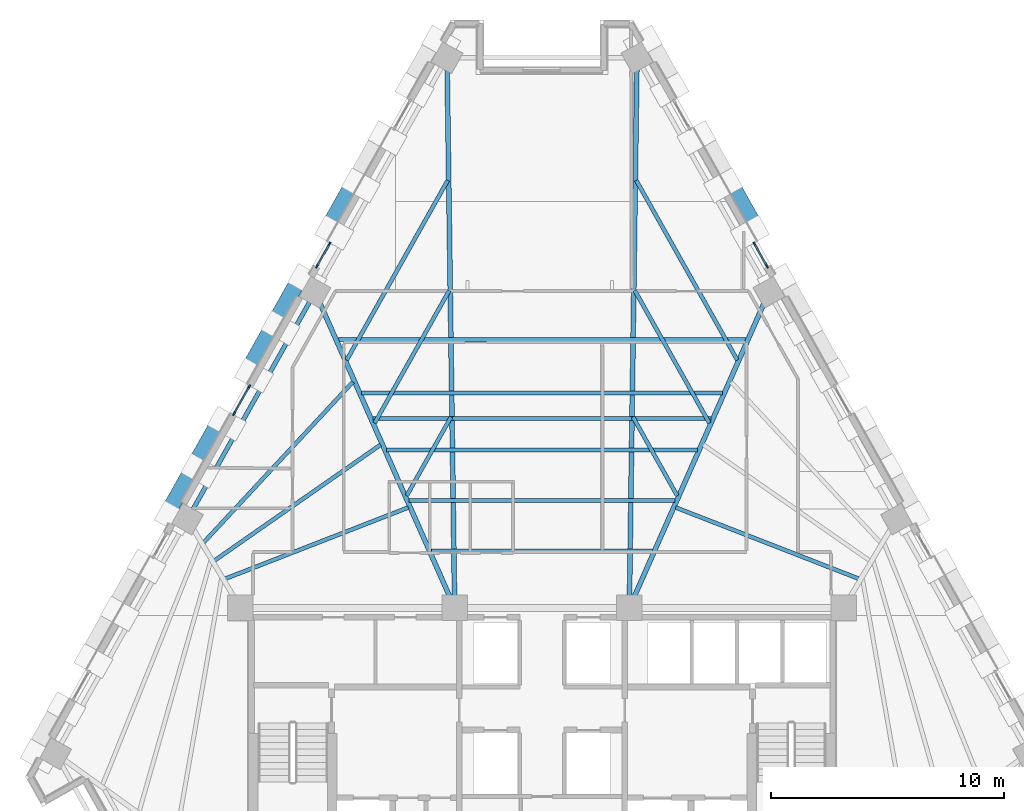
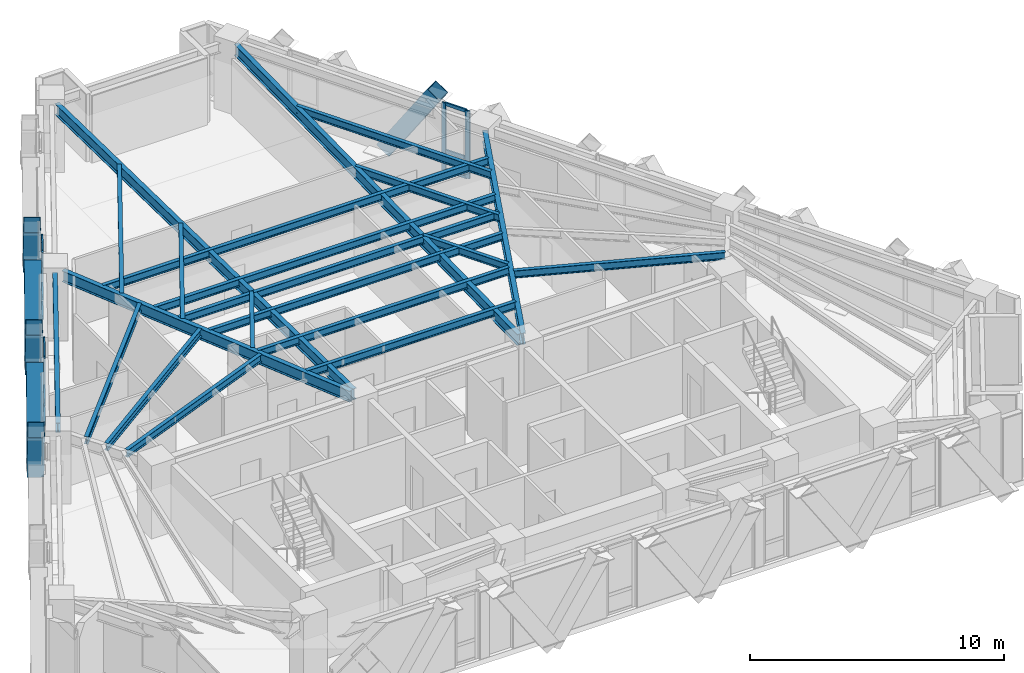
# One storey, part 3 of 13: 21 beams, 21 members, 3 elements without a shape of their own.
"""IFC4 building model written with IfcOpenShell, lengths in metres."""

import ifcopenshell
import ifcopenshell.guid

model = None  # the IFC model being written
_history = None  # IfcOwnerHistory: only IFC2X3 demands one
_inside = {}  # id of a spatial element -> (the spatial element, [elements in it])
_under = {}  # id of a project, library or spatial element -> (it, [spatial elements below it])
_declared = {}  # id of a project -> (the project, [libraries it declares])
_typed = {}  # id of a type object -> (the type object, [elements of that type])
_made_of = {}  # id of a material, layer set ... -> (it, [elements and type objects made of it])


def new_model(schema):
    """Start an empty IFC model of exactly this schema.

    Asked for "IFC4X3", IfcOpenShell would pick the latest addendum, in which some entities
    have other attributes; the version numbers below select the first issue.
    IFC2X3 requires an IfcOwnerHistory on every rooted entity: one is made here for all.
    """
    global model, _history
    if schema == "IFC4X3":
        model = ifcopenshell.file(schema_version=(4, 3, 0, 0))
    else:
        model = ifcopenshell.file(schema=schema)
    _inside.clear()
    _under.clear()
    _declared.clear()
    _typed.clear()
    _made_of.clear()
    _history = None
    if model.schema == "IFC2X3":
        org = make("IfcOrganization", Name="unknown")
        user = make(
            "IfcPersonAndOrganization",
            ThePerson=make("IfcPerson", FamilyName="unknown"),
            TheOrganization=org,
        )
        app = make(
            "IfcApplication",
            ApplicationDeveloper=org,
            Version="unknown",
            ApplicationFullName="unknown",
            ApplicationIdentifier="unknown",
        )
        _history = make(
            "IfcOwnerHistory",
            OwningUser=user,
            OwningApplication=app,
            ChangeAction="ADDED",
            CreationDate=0,
        )
    return model


def make(cls, **values):
    """One entity of the class cls with the attributes given. An attribute that is None is left unset."""
    return model.create_entity(
        cls, **{name: value for name, value in values.items() if value is not None}
    )


def rooted(cls, **values):
    """An entity with a GlobalId (a new one), such as an element, a storey or a relation."""
    return make(cls, GlobalId=ifcopenshell.guid.new(), OwnerHistory=_history, **values)


def si_unit(unit_type, name, prefix=None):
    """IfcSIUnit, for example si_unit("LENGTHUNIT", "METRE", prefix="MILLI")."""
    return make("IfcSIUnit", UnitType=unit_type, Prefix=prefix, Name=name)


def assignment(units):
    """IfcUnitAssignment: the units of a project."""
    return None if units is None else make("IfcUnitAssignment", Units=units)


def point(xyz):
    """IfcCartesianPoint."""
    return None if xyz is None else make("IfcCartesianPoint", Coordinates=xyz)


def direction(xyz):
    """IfcDirection."""
    return None if xyz is None else make("IfcDirection", DirectionRatios=xyz)


def frame(location, z_axis=None, x_axis=None):
    """IfcAxis2Placement3D, a coordinate frame: its origin and axes. An axis left out is left unset."""
    return make(
        "IfcAxis2Placement3D",
        Location=point(location),
        Axis=direction(z_axis),
        RefDirection=direction(x_axis),
    )


def frame_2d(location, x_axis=None):
    """IfcAxis2Placement2D, a coordinate frame in the plane: its origin and x axis."""
    return make(
        "IfcAxis2Placement2D", Location=point(location), RefDirection=direction(x_axis)
    )


def origin():
    """The frame at (0, 0, 0) with its axes left unset."""
    return frame((0.0, 0.0, 0.0))


def origin_2d():
    """The frame at (0, 0) in the plane with its x axis left unset."""
    return frame_2d((0.0, 0.0))


def place(relative_to, where):
    """IfcLocalPlacement: puts the frame where relative to a parent placement (None: the world)."""
    return make(
        "IfcLocalPlacement", PlacementRelTo=relative_to, RelativePlacement=where
    )


def context(
    kind, dimensions, precision=None, world=None, true_north=None, identifier=None
):
    """IfcGeometricRepresentationContext, for example the 3D "Model" context."""
    return make(
        "IfcGeometricRepresentationContext",
        ContextIdentifier=identifier,
        ContextType=kind,
        CoordinateSpaceDimension=dimensions,
        Precision=precision,
        WorldCoordinateSystem=world,
        TrueNorth=true_north,
    )


def subcontext(parent, identifier, kind, view, scale=None):
    """IfcGeometricRepresentationSubContext, for example "Body" below "Model"."""
    return make(
        "IfcGeometricRepresentationSubContext",
        ContextIdentifier=identifier,
        ContextType=kind,
        ParentContext=parent,
        TargetScale=scale,
        TargetView=view,
    )


def project(units=None, contexts=None):
    """IfcProject with its units and contexts."""
    return rooted(
        "IfcProject",
        Name="project",
        RepresentationContexts=contexts,
        UnitsInContext=assignment(units),
    )


def spatial(cls, under=None, at=None, **own):
    """A site, building, storey or space (cls), placed at a placement, below another one or the project."""
    s = rooted(cls, ObjectPlacement=at, **own)
    if under is not None:
        _under.setdefault(under.id(), (under, []))[1].append(s)
    return s


def profile(cls, at=None, kind="AREA", **sizes):
    """A parametric profile (cls). Its sizes go by their IFC names, for example OverallWidth=200.0."""
    return make(cls, ProfileType=kind, Position=at, **sizes)


def rectangle(**sizes):
    """IfcRectangleProfileDef."""
    return profile("IfcRectangleProfileDef", **sizes)


def hollow_rectangle(**sizes):
    """IfcRectangleHollowProfileDef."""
    return profile("IfcRectangleHollowProfileDef", **sizes)


def i_section(**sizes):
    """IfcIShapeProfileDef."""
    return profile("IfcIShapeProfileDef", **sizes)


def extrude(swept, where, along, depth):
    """IfcExtrudedAreaSolid: the profile swept, set in the frame where, extruded along a direction by depth."""
    return make(
        "IfcExtrudedAreaSolid",
        SweptArea=swept,
        Position=where,
        ExtrudedDirection=direction(along),
        Depth=depth,
    )


def shape(context_of_items, identifier, shape_type, items):
    """IfcShapeRepresentation: the items that make up one representation, for example the "Body"."""
    return make(
        "IfcShapeRepresentation",
        ContextOfItems=context_of_items,
        RepresentationIdentifier=identifier,
        RepresentationType=shape_type,
        Items=items,
    )


def material(Name=None, Category=None):
    """IfcMaterial."""
    return make("IfcMaterial", Name=Name, Category=Category)


def material_profile(
    of_material, cross_section, Name=None, Category=None, Priority=None
):
    """IfcMaterialProfile: a cross section and its material."""
    return make(
        "IfcMaterialProfile",
        Name=Name,
        Material=of_material,
        Profile=cross_section,
        Priority=Priority,
        Category=Category,
    )


def profile_set(profiles, Name=None, composite=None):
    """IfcMaterialProfileSet."""
    return make(
        "IfcMaterialProfileSet",
        Name=Name,
        MaterialProfiles=profiles,
        CompositeProfile=composite,
    )


def made_of(thing, what):
    """Note that an element or type object is made of a material, layer set ...; save() writes the relation."""
    if what is not None:
        _made_of.setdefault(what.id(), (what, []))[1].append(thing)
    return thing


def type_object(cls, material=None, **own):
    """A type object (cls), such as IfcWallType, which elements share."""
    return made_of(rooted(cls, **own), material)


def element(
    cls,
    number,
    at=None,
    inside=None,
    cuts=None,
    type_object=None,
    material=None,
    context=None,
    identifier="Body",
    shape_type=None,
    held_by="IfcProductDefinitionShape",
    body=None,
    shapes=None,
    **own,
):
    """One element of the class cls, such as IfcWall. Its Tag is "e" and its number.

    at: its placement. inside: the storey or other place that contains it. cuts: it is an
    opening in that element (IfcRelVoidsElement). A single representation is given by context,
    identifier, shape_type and body (its items); several are given by shapes. held_by: the class
    of the entity that holds the representations. save() writes the other relations.
    """
    e = rooted(cls, Tag="e%d" % number, ObjectPlacement=at, **own)
    if body is not None:
        shapes = [shape(context, identifier, shape_type, body)]
    if shapes is not None:
        e.Representation = make(held_by, Representations=shapes)
    if inside is not None:
        _inside.setdefault(inside.id(), (inside, []))[1].append(e)
    if cuts is not None:
        rooted(
            "IfcRelVoidsElement", RelatingBuildingElement=cuts, RelatedOpeningElement=e
        )
    if type_object is not None:
        _typed.setdefault(type_object.id(), (type_object, []))[1].append(e)
    return made_of(e, material)


def aggregate(whole, parts):
    """IfcRelAggregates: a whole, such as a stair, and the parts it consists of."""
    return rooted("IfcRelAggregates", RelatingObject=whole, RelatedObjects=parts)


def save(model, path):
    """Write the relations noted so far, then the file.

    IfcRelAggregates (storeys below a building ...), IfcRelContainedInSpatialStructure (elements
    in a storey), IfcRelDefinesByType, IfcRelAssociatesMaterial and IfcRelDeclares: one each for
    every whole, place, type object, material and project.
    """
    for whole, parts in _under.values():
        aggregate(whole, parts)
    for where, things in _inside.values():
        rooted(
            "IfcRelContainedInSpatialStructure",
            RelatedElements=things,
            RelatingStructure=where,
        )
    for kind, things in _typed.values():
        rooted("IfcRelDefinesByType", RelatedObjects=things, RelatingType=kind)
    for what, things in _made_of.values():
        rooted("IfcRelAssociatesMaterial", RelatedObjects=things, RelatingMaterial=what)
    for by, libraries in _declared.values():
        rooted("IfcRelDeclares", RelatingContext=by, RelatedDefinitions=libraries)
    model.write(path)


model = new_model("IFC4")

# Units and contexts
model_context = context("Model", 3, precision=1e-05, world=origin(), true_north=direction((0.0, 1.0)))
body_context = subcontext(model_context, "Body", "Model", "MODEL_VIEW")
ifc_project = project(units=[si_unit("LENGTHUNIT", "METRE"), si_unit("AREAUNIT", "SQUARE_METRE"), si_unit("VOLUMEUNIT", "CUBIC_METRE"), si_unit("PLANEANGLEUNIT", "RADIAN"), si_unit("MASSUNIT", "GRAM", prefix="KILO")], contexts=[model_context])

# Site, building, storey
site_placement = place(None, origin())
site = spatial("IfcSite", under=ifc_project, at=site_placement, CompositionType="ELEMENT")
building_placement = place(site_placement, origin())
building = spatial("IfcBuilding", under=site, at=building_placement, Name="Quenlor Broadcast Tower", CompositionType="ELEMENT")
storey_placement = place(building_placement, frame((0.0, 0.0, 161.5)))
storey = spatial("IfcBuildingStorey", under=building, at=storey_placement, Name="L44", CompositionType="ELEMENT", Elevation=161.5)

# Curtain wall, members
ifc_material_1 = material(Name="Architectural Terracotta and Low-E Glazing", Category="masonry")
curtain_wall_type = type_object("IfcCurtainWallType", Name="Unitised Terracotta Curtain Wall System Z3", PredefinedType="NOTDEFINED", material=ifc_material_1)
curtain_wall_1_placement = place(storey_placement, origin())
curtain_wall_1 = element("IfcCurtainWall", 1, at=curtain_wall_1_placement, inside=storey, type_object=curtain_wall_type, Name="L44 Curtain Wall CW3 (L44-NEA-G2)", PredefinedType="NOTDEFINED")
ifc_material_2 = material(Name="Aluminium 6063-T6", Category="aluminium")
ifc_material_profile_1 = material_profile(ifc_material_2, rectangle(XDim=0.070068359375, YDim=0.18994140625, at=origin_2d()))
ifc_profile_set_1 = profile_set([ifc_material_profile_1], Name="Aluminium 6063-T6 MULL70x190")
member_type_1 = type_object("IfcMemberType", Name="CW3 Aluminium Mullion MULL_CW3", PredefinedType="MULLION", material=ifc_profile_set_1)
member_1_placement = place(storey_placement, frame((9.1259765625, 10.8193359375, 0.0), z_axis=(0.0, 0.0, 1.0), x_axis=(0.871601010924, 0.490215950125, 0.0)))
member_1 = element("IfcMember", 2, at=member_1_placement, type_object=member_type_1, Name="CW3 mullion 1", PredefinedType="MULLION", context=body_context, shape_type="SweptSolid", body=[
    extrude(rectangle(XDim=0.070068359375, YDim=0.18994140625, at=origin_2d()), origin(), (0.0, 0.0, 1.0), 3.25),
])
member_2_placement = place(storey_placement, frame((9.656982421875, 9.875244140625, 0.0), z_axis=(0.0, 0.0, 1.0), x_axis=(0.871601010924, 0.490215950125, 0.0)))
member_2 = element("IfcMember", 3, at=member_2_placement, type_object=member_type_1, Name="CW3 mullion 2", PredefinedType="MULLION", context=body_context, shape_type="SweptSolid", body=[
    extrude(rectangle(XDim=0.070068359375, YDim=0.18994140625, at=origin_2d()), origin(), (0.0, 0.0, 1.0), 3.25),
])

curtain_wall_2_placement = place(storey_placement, origin())
curtain_wall_2 = element("IfcCurtainWall", 4, at=curtain_wall_2_placement, inside=storey, type_object=curtain_wall_type, Name="L44 Curtain Wall CW3 (L44-NWC-G1)", PredefinedType="NOTDEFINED")
member_3_placement = place(storey_placement, frame((-9.656982421875, 9.875244140625, 0.0), z_axis=(0.0, 0.0, 1.0), x_axis=(-0.871601010924, 0.490215950125, 0.0)))
member_3 = element("IfcMember", 5, at=member_3_placement, type_object=member_type_1, Name="CW3 mullion 1", PredefinedType="MULLION", context=body_context, shape_type="SweptSolid", body=[
    extrude(rectangle(XDim=0.070068359375, YDim=0.18994140625, at=origin_2d()), origin(), (0.0, 0.0, 1.0), 3.25),
])
member_4_placement = place(storey_placement, frame((-9.1259765625, 10.8193359375, 0.0), z_axis=(0.0, 0.0, 1.0), x_axis=(-0.871601010924, 0.490215950125, 0.0)))
member_4 = element("IfcMember", 6, at=member_4_placement, type_object=member_type_1, Name="CW3 mullion 2", PredefinedType="MULLION", context=body_context, shape_type="SweptSolid", body=[
    extrude(rectangle(XDim=0.070068359375, YDim=0.18994140625, at=origin_2d()), origin(), (0.0, 0.0, 1.0), 3.25),
])

curtain_wall_3_placement = place(storey_placement, origin())
curtain_wall_3 = element("IfcCurtainWall", 7, at=curtain_wall_3_placement, inside=storey, type_object=curtain_wall_type, Name="L44 Curtain Wall CW3 (L44-NW-G1)", PredefinedType="NOTDEFINED")
member_5_placement = place(storey_placement, frame((-13.220947265625, 3.5390625, 0.0), z_axis=(0.0, 0.0, 1.0), x_axis=(-0.871562085714, 0.490285152484, 0.0)))
member_5 = element("IfcMember", 8, at=member_5_placement, type_object=member_type_1, Name="CW3 mullion 1", PredefinedType="MULLION", context=body_context, shape_type="SweptSolid", body=[
    extrude(rectangle(XDim=0.070068359375, YDim=0.18994140625, at=origin_2d()), origin(), (0.0, 0.0, 1.0), 3.25),
])
member_6_placement = place(storey_placement, frame((-12.573974609375, 4.689208984375, 0.0), z_axis=(0.0, 0.0, 1.0), x_axis=(-0.871562085714, 0.490285152484, 0.0)))
member_6 = element("IfcMember", 9, at=member_6_placement, type_object=member_type_1, Name="CW3 mullion 2", PredefinedType="MULLION", context=body_context, shape_type="SweptSolid", body=[
    extrude(rectangle(XDim=0.070068359375, YDim=0.18994140625, at=origin_2d()), origin(), (0.0, 0.0, 1.0), 3.25),
])

# Member
ifc_material_3 = material(Name="Aluminium 6063-T6", Category="aluminium")
ifc_material_profile_2 = material_profile(ifc_material_3, rectangle(XDim=0.070068359375, YDim=0.155029296875, at=origin_2d()))
ifc_profile_set_2 = profile_set([ifc_material_profile_2], Name="Aluminium 6063-T6 TRAN70x155")
member_type_2 = type_object("IfcMemberType", Name="CW3 Aluminium Transom TRAN_CW3", PredefinedType="USERDEFINED", material=ifc_profile_set_2)
member_7_placement = place(storey_placement, frame((9.14306640625, 10.788818359375, 0.034912109375), z_axis=(0.490341317219, -0.871530488639, 0.0), x_axis=(0.871530488639, 0.490341317219, 0.0)))
member_7 = element("IfcMember", 10, at=member_7_placement, type_object=member_type_2, Name="CW3 transom 1.1", ObjectType="TRANSOM", PredefinedType="USERDEFINED", context=body_context, shape_type="SweptSolid", body=[
    extrude(rectangle(XDim=0.070068359375, YDim=0.155029296875, at=origin_2d()), origin(), (0.0, 0.0, 1.0), 1.01318359375),
])

member_8_placement = place(storey_placement, frame((9.14306640625, 10.788818359375, 0.949951171875), z_axis=(0.490341317219, -0.871530488639, 0.0), x_axis=(0.871530488639, 0.490341317219, 0.0)))
member_8 = element("IfcMember", 11, at=member_8_placement, type_object=member_type_2, Name="CW3 transom 1.2", ObjectType="TRANSOM", PredefinedType="USERDEFINED", context=body_context, shape_type="SweptSolid", body=[
    extrude(rectangle(XDim=0.070068359375, YDim=0.155029296875, at=origin_2d()), origin(), (0.0, 0.0, 1.0), 1.01318359375),
])

member_9_placement = place(storey_placement, frame((9.14306640625, 10.788818359375, 3.215087890625), z_axis=(0.490341317219, -0.871530488639, 0.0), x_axis=(0.871530488639, 0.490341317219, 0.0)))
member_9 = element("IfcMember", 12, at=member_9_placement, type_object=member_type_2, Name="CW3 transom 1.3", ObjectType="TRANSOM", PredefinedType="USERDEFINED", context=body_context, shape_type="SweptSolid", body=[
    extrude(rectangle(XDim=0.070068359375, YDim=0.155029296875, at=origin_2d()), origin(), (0.0, 0.0, 1.0), 1.01318359375),
])

aggregate(curtain_wall_1, [member_1, member_2, member_7, member_8, member_9])

member_10_placement = place(storey_placement, frame((-9.639892578125, 9.90576171875, 0.034912109375), z_axis=(0.490341317219, 0.871530488639, 0.0), x_axis=(-0.871530488639, 0.490341317219, 0.0)))
member_10 = element("IfcMember", 13, at=member_10_placement, type_object=member_type_2, Name="CW3 transom 1.1", ObjectType="TRANSOM", PredefinedType="USERDEFINED", context=body_context, shape_type="SweptSolid", body=[
    extrude(rectangle(XDim=0.070068359375, YDim=0.155029296875, at=origin_2d()), origin(), (0.0, 0.0, 1.0), 1.01318359375),
])

member_11_placement = place(storey_placement, frame((-9.639892578125, 9.90576171875, 0.949951171875), z_axis=(0.490341317219, 0.871530488639, 0.0), x_axis=(-0.871530488639, 0.490341317219, 0.0)))
member_11 = element("IfcMember", 14, at=member_11_placement, type_object=member_type_2, Name="CW3 transom 1.2", ObjectType="TRANSOM", PredefinedType="USERDEFINED", context=body_context, shape_type="SweptSolid", body=[
    extrude(rectangle(XDim=0.070068359375, YDim=0.155029296875, at=origin_2d()), origin(), (0.0, 0.0, 1.0), 1.01318359375),
])

member_12_placement = place(storey_placement, frame((-9.639892578125, 9.90576171875, 3.215087890625), z_axis=(0.490341317219, 0.871530488639, 0.0), x_axis=(-0.871530488639, 0.490341317219, 0.0)))
member_12 = element("IfcMember", 15, at=member_12_placement, type_object=member_type_2, Name="CW3 transom 1.3", ObjectType="TRANSOM", PredefinedType="USERDEFINED", context=body_context, shape_type="SweptSolid", body=[
    extrude(rectangle(XDim=0.070068359375, YDim=0.155029296875, at=origin_2d()), origin(), (0.0, 0.0, 1.0), 1.01318359375),
])

aggregate(curtain_wall_2, [member_3, member_4, member_10, member_11, member_12])

member_13_placement = place(storey_placement, frame((-13.203857421875, 3.569580078125, 0.034912109375), z_axis=(0.490363266059, 0.871518139398, 0.0), x_axis=(-0.871518139398, 0.490363266059, 0.0)))
member_13 = element("IfcMember", 16, at=member_13_placement, type_object=member_type_2, Name="CW3 transom 1.1", ObjectType="TRANSOM", PredefinedType="USERDEFINED", context=body_context, shape_type="SweptSolid", body=[
    extrude(rectangle(XDim=0.070068359375, YDim=0.155029296875, at=origin_2d()), origin(), (0.0, 0.0, 1.0), 1.249755859375),
])

member_14_placement = place(storey_placement, frame((-13.203857421875, 3.569580078125, 0.949951171875), z_axis=(0.490363266059, 0.871518139398, 0.0), x_axis=(-0.871518139398, 0.490363266059, 0.0)))
member_14 = element("IfcMember", 17, at=member_14_placement, type_object=member_type_2, Name="CW3 transom 1.2", ObjectType="TRANSOM", PredefinedType="USERDEFINED", context=body_context, shape_type="SweptSolid", body=[
    extrude(rectangle(XDim=0.070068359375, YDim=0.155029296875, at=origin_2d()), origin(), (0.0, 0.0, 1.0), 1.249755859375),
])

member_15_placement = place(storey_placement, frame((-13.203857421875, 3.569580078125, 3.215087890625), z_axis=(0.490363266059, 0.871518139398, 0.0), x_axis=(-0.871518139398, 0.490363266059, 0.0)))
member_15 = element("IfcMember", 18, at=member_15_placement, type_object=member_type_2, Name="CW3 transom 1.3", ObjectType="TRANSOM", PredefinedType="USERDEFINED", context=body_context, shape_type="SweptSolid", body=[
    extrude(rectangle(XDim=0.070068359375, YDim=0.155029296875, at=origin_2d()), origin(), (0.0, 0.0, 1.0), 1.249755859375),
])

aggregate(curtain_wall_3, [member_5, member_6, member_13, member_14, member_15])

# Members
ifc_material_4 = material(Name="Steel S355", Category="steel")
ifc_material_profile_3 = material_profile(ifc_material_4, hollow_rectangle(XDim=0.679931640625, YDim=0.679931640625, WallThickness=0.02490234375, at=origin_2d()))
ifc_profile_set_3 = profile_set([ifc_material_profile_3], Name="Steel S355 RHS680x680x25")
member_type_3 = type_object("IfcMemberType", Name="Perimeter Diagonal Lattice Brace Z3-Z4 Steel S355 RHS680x25", PredefinedType="BRACE", material=ifc_profile_set_3)
for number, where, z_axis, x_axis, name in (
    (19, (8.076416015625, 13.490478515625, -0.1201171875), (0.27060310517, -0.481001091283, 0.833913610428), (0.871544572467, 0.490316283845, 0.0), "L44 Perimeter Diamond Lattice NE-C2S"),
    (20, (-14.97265625, 1.230712890625, -0.1201171875), (-0.27060310517, -0.481001091283, 0.833913610428), (0.871544572467, -0.490316283845, 0.0), "L44 Perimeter Diamond Lattice NW-C2B"),
    (21, (-14.958984375, 1.255126953125, -0.1201171875), (0.2705491942, 0.481008661973, 0.833926735766), (-0.871589611547, 0.490236217596, 0.0), "L44 Perimeter Diamond Lattice NW-C3S"),
    (22, (-11.524658203125, 7.360595703125, -0.1201171875), (-0.2705491942, -0.481008661973, 0.833926735766), (0.871589611547, -0.490236217596, 0.0), "L44 Perimeter Diamond Lattice NW-C3B"),
    (23, (-11.5107421875, 7.385009765625, -0.1201171875), (0.2705491942, 0.481008661973, 0.833926735766), (-0.871589611547, 0.490236217596, 0.0), "L44 Perimeter Diamond Lattice NW-C4S"),
    (24, (-8.076416015625, 13.490478515625, -0.1201171875), (-0.27060310517, -0.481001091283, 0.833913610428), (0.871544572467, -0.490316283845, 0.0), "L44 Perimeter Diamond Lattice NW-C4B"),
):
    element("IfcMember", number, at=place(storey_placement, frame(where, z_axis=z_axis, x_axis=x_axis)), inside=storey, type_object=member_type_3, Name=name, PredefinedType="BRACE", context=body_context, shape_type="SweptSolid", body=[
        extrude(hollow_rectangle(XDim=0.679931640625, YDim=0.679931640625, WallThickness=0.02490234375, at=origin_2d()), origin(), (0.0, 0.0, 1.0), 4.197021484375),
    ])

# Beams
ifc_material_5 = material(Name="Steel S355", Category="steel")
ifc_material_profile_4 = material_profile(ifc_material_5, i_section(OverallWidth=0.19091796875, OverallDepth=0.46044921875, WebThickness=0.010009765625, FlangeThickness=0.01611328125, FilletRadius=0.011474609375, at=origin_2d()))
ifc_profile_set_4 = profile_set([ifc_material_profile_4], Name="Steel S355 460UB82.1")
beam_type_1 = type_object("IfcBeamType", Name="Perimeter Spandrel Beam Z3 Steel S355 460UB82.1", PredefinedType="SPANDREL", material=ifc_profile_set_4)
beam_1_placement = place(storey_placement, frame((-9.944091796875, 8.39599609375, 3.019775390625), z_axis=(-0.490252288562, -0.871580572041, 0.0), x_axis=(0.871580572041, -0.490252288562, 0.0)))
element("IfcBeam", 25, at=beam_1_placement, inside=storey, type_object=beam_type_1, Name="L44 Spandrel Beam NW2-NW3", PredefinedType="SPANDREL", context=body_context, shape_type="SweptSolid", body=[
    extrude(i_section(OverallWidth=0.19091796875, OverallDepth=0.46044921875, WebThickness=0.010009765625, FlangeThickness=0.01611328125, FilletRadius=0.011474609375, at=origin_2d()), origin(), (0.0, 0.0, 1.0), 10.359619140625),
])
ifc_material_6 = material(Name="Steel S355", Category="steel")
ifc_material_profile_5 = material_profile(ifc_material_6, i_section(OverallWidth=0.172119140625, OverallDepth=0.358642578125, WebThickness=0.008056640625, FlangeThickness=0.012939453125, FilletRadius=0.011474609375, at=origin_2d()))
ifc_profile_set_5 = profile_set([ifc_material_profile_5], Name="Steel S355 360UB56.7")
beam_type_2 = type_object("IfcBeamType", Name="Tower Composite Joist Z2-Z3 Steel S355 360UB56.7", PredefinedType="JOIST", material=ifc_profile_set_5)
beam_2_placement = place(storey_placement, frame((-4.748779296875, -2.3603515625, 3.07080078125), z_axis=(1.0, 0.0, 0.0), x_axis=(0.0, 1.0, 0.0)))
element("IfcBeam", 26, at=beam_2_placement, inside=storey, type_object=beam_type_2, Name="L44 Secondary Composite Joist 1", PredefinedType="JOIST", context=body_context, shape_type="SweptSolid", body=[
    extrude(i_section(OverallWidth=0.172119140625, OverallDepth=0.358642578125, WebThickness=0.008056640625, FlangeThickness=0.012939453125, FilletRadius=0.011474609375, at=origin_2d()), origin(), (0.0, 0.0, 1.0), 9.49755859375),
])
beam_3_placement = place(storey_placement, frame((-7.265869140625, 3.33203125, 3.07080078125), z_axis=(1.0, 0.0, 0.0), x_axis=(0.0, 1.0, 0.0)))
element("IfcBeam", 27, at=beam_3_placement, inside=storey, type_object=beam_type_2, Name="L44 Secondary Composite Joist 2", PredefinedType="JOIST", context=body_context, shape_type="SweptSolid", body=[
    extrude(i_section(OverallWidth=0.172119140625, OverallDepth=0.358642578125, WebThickness=0.008056640625, FlangeThickness=0.012939453125, FilletRadius=0.011474609375, at=origin_2d()), origin(), (0.0, 0.0, 1.0), 14.53173828125),
])
beam_4_placement = place(storey_placement, frame((-5.70751953125, -0.19189453125, 3.07080078125), z_axis=(1.0, 0.0, 0.0), x_axis=(0.0, 1.0, 0.0)))
element("IfcBeam", 28, at=beam_4_placement, inside=storey, type_object=beam_type_2, Name="L44 Secondary Composite Joist 3", PredefinedType="JOIST", context=body_context, shape_type="SweptSolid", body=[
    extrude(i_section(OverallWidth=0.172119140625, OverallDepth=0.358642578125, WebThickness=0.008056640625, FlangeThickness=0.012939453125, FilletRadius=0.011474609375, at=origin_2d()), origin(), (0.0, 0.0, 1.0), 11.4150390625),
])
beam_5_placement = place(storey_placement, frame((-6.66650390625, 1.976806640625, 3.07080078125), z_axis=(1.0, 0.0, 0.0), x_axis=(0.0, 1.0, 0.0)))
element("IfcBeam", 29, at=beam_5_placement, inside=storey, type_object=beam_type_2, Name="L44 Secondary Composite Joist 4", PredefinedType="JOIST", context=body_context, shape_type="SweptSolid", body=[
    extrude(i_section(OverallWidth=0.172119140625, OverallDepth=0.358642578125, WebThickness=0.008056640625, FlangeThickness=0.012939453125, FilletRadius=0.011474609375, at=origin_2d()), origin(), (0.0, 0.0, 1.0), 13.3330078125),
])
beam_6_placement = place(storey_placement, frame((-7.7451171875, 4.416259765625, 3.07080078125), z_axis=(1.0, 0.0, 0.0), x_axis=(0.0, 1.0, 0.0)))
element("IfcBeam", 30, at=beam_6_placement, inside=storey, type_object=beam_type_2, Name="L44 Secondary Composite Joist 5", PredefinedType="JOIST", context=body_context, shape_type="SweptSolid", body=[
    extrude(i_section(OverallWidth=0.172119140625, OverallDepth=0.358642578125, WebThickness=0.008056640625, FlangeThickness=0.012939453125, FilletRadius=0.011474609375, at=origin_2d()), origin(), (0.0, 0.0, 1.0), 15.490234375),
])
beam_7_placement = place(storey_placement, frame((-8.763916015625, 6.72021484375, 3.07080078125), z_axis=(1.0, 0.0, 0.0), x_axis=(0.0, 1.0, 0.0)))
element("IfcBeam", 31, at=beam_7_placement, inside=storey, type_object=beam_type_2, Name="L44 Secondary Composite Joist 6", PredefinedType="JOIST", context=body_context, shape_type="SweptSolid", body=[
    extrude(i_section(OverallWidth=0.172119140625, OverallDepth=0.358642578125, WebThickness=0.008056640625, FlangeThickness=0.012939453125, FilletRadius=0.011474609375, at=origin_2d()), origin(), (0.0, 0.0, 1.0), 17.52783203125),
])
beam_8_placement = place(storey_placement, frame((-13.60302734375, -3.552001953125, 3.07080078125), z_axis=(0.931881865797, 0.362761889121, 0.0), x_axis=(-0.362761889121, 0.931881865797, 0.0)))
element("IfcBeam", 32, at=beam_8_placement, inside=storey, type_object=beam_type_2, Name="L44 Secondary Composite Joist 7", PredefinedType="JOIST", context=body_context, shape_type="SweptSolid", body=[
    extrude(i_section(OverallWidth=0.172119140625, OverallDepth=0.358642578125, WebThickness=0.008056640625, FlangeThickness=0.012939453125, FilletRadius=0.011474609375, at=origin_2d()), origin(), (0.0, 0.0, 1.0), 8.435546875),
])
beam_9_placement = place(storey_placement, frame((-14.06689453125, -2.7734375, 3.07080078125), z_axis=(0.82026568394, 0.57198269882, 0.0), x_axis=(-0.57198269882, 0.82026568394, 0.0)))
element("IfcBeam", 33, at=beam_9_placement, inside=storey, type_object=beam_type_2, Name="L44 Secondary Composite Joist 8", PredefinedType="JOIST", context=body_context, shape_type="SweptSolid", body=[
    extrude(i_section(OverallWidth=0.172119140625, OverallDepth=0.358642578125, WebThickness=0.008056640625, FlangeThickness=0.012939453125, FilletRadius=0.011474609375, at=origin_2d()), origin(), (0.0, 0.0, 1.0), 8.698486328125),
])
beam_10_placement = place(storey_placement, frame((-14.53271484375, -1.998779296875, 3.07080078125), z_axis=(0.680873505991, 0.732401030065, 0.0), x_axis=(-0.732401030065, 0.680873505991, 0.0)))
element("IfcBeam", 34, at=beam_10_placement, inside=storey, type_object=beam_type_2, Name="L44 Secondary Composite Joist 9", PredefinedType="JOIST", context=body_context, shape_type="SweptSolid", body=[
    extrude(i_section(OverallWidth=0.172119140625, OverallDepth=0.358642578125, WebThickness=0.008056640625, FlangeThickness=0.012939453125, FilletRadius=0.011474609375, at=origin_2d()), origin(), (0.0, 0.0, 1.0), 9.419189453125),
])
beam_11_placement = place(storey_placement, frame((13.60302734375, -3.552001953125, 3.07080078125), z_axis=(-0.931881865797, 0.362761889121, 0.0), x_axis=(-0.362761889121, -0.931881865797, 0.0)))
element("IfcBeam", 35, at=beam_11_placement, inside=storey, type_object=beam_type_2, Name="L44 Secondary Composite Joist 10", PredefinedType="JOIST", context=body_context, shape_type="SweptSolid", body=[
    extrude(i_section(OverallWidth=0.172119140625, OverallDepth=0.358642578125, WebThickness=0.008056640625, FlangeThickness=0.012939453125, FilletRadius=0.011474609375, at=origin_2d()), origin(), (0.0, 0.0, 1.0), 8.435546875),
])
beam_12_placement = place(storey_placement, frame((-3.904541015625, 3.39794921875, 3.07080078125), z_axis=(-0.49026422458, -0.871573858085, 0.0), x_axis=(0.871573858085, -0.49026422458, 0.0)))
element("IfcBeam", 36, at=beam_12_placement, inside=storey, type_object=beam_type_2, Name="L44 Secondary Composite Joist 25", PredefinedType="JOIST", context=body_context, shape_type="SweptSolid", body=[
    extrude(i_section(OverallWidth=0.172119140625, OverallDepth=0.358642578125, WebThickness=0.008056640625, FlangeThickness=0.012939453125, FilletRadius=0.011474609375, at=origin_2d()), origin(), (0.0, 0.0, 1.0), 3.88330078125),
])
beam_13_placement = place(storey_placement, frame((-3.980224609375, 8.8310546875, 3.07080078125), z_axis=(-0.490266556378, -0.871572546434, 0.0), x_axis=(0.871572546434, -0.490266556378, 0.0)))
element("IfcBeam", 37, at=beam_13_placement, inside=storey, type_object=beam_type_2, Name="L44 Secondary Composite Joist 26", PredefinedType="JOIST", context=body_context, shape_type="SweptSolid", body=[
    extrude(i_section(OverallWidth=0.172119140625, OverallDepth=0.358642578125, WebThickness=0.008056640625, FlangeThickness=0.012939453125, FilletRadius=0.011474609375, at=origin_2d()), origin(), (0.0, 0.0, 1.0), 6.54052734375),
])
beam_14_placement = place(storey_placement, frame((-4.046142578125, 13.555419921875, 3.07080078125), z_axis=(-0.490254691431, -0.871579220455, 0.0), x_axis=(0.871579220455, -0.490254691431, 0.0)))
element("IfcBeam", 38, at=beam_14_placement, inside=storey, type_object=beam_type_2, Name="L44 Secondary Composite Joist 27", PredefinedType="JOIST", context=body_context, shape_type="SweptSolid", body=[
    extrude(i_section(OverallWidth=0.172119140625, OverallDepth=0.358642578125, WebThickness=0.008056640625, FlangeThickness=0.012939453125, FilletRadius=0.011474609375, at=origin_2d()), origin(), (0.0, 0.0, 1.0), 8.850830078125),
])
beam_15_placement = place(storey_placement, frame((3.904541015625, 3.39794921875, 3.07080078125), z_axis=(0.49026422458, -0.871573858085, 0.0), x_axis=(0.871573858085, 0.49026422458, 0.0)))
element("IfcBeam", 39, at=beam_15_placement, inside=storey, type_object=beam_type_2, Name="L44 Secondary Composite Joist 28", PredefinedType="JOIST", context=body_context, shape_type="SweptSolid", body=[
    extrude(i_section(OverallWidth=0.172119140625, OverallDepth=0.358642578125, WebThickness=0.008056640625, FlangeThickness=0.012939453125, FilletRadius=0.011474609375, at=origin_2d()), origin(), (0.0, 0.0, 1.0), 3.88330078125),
])
beam_16_placement = place(storey_placement, frame((3.980224609375, 8.8310546875, 3.07080078125), z_axis=(0.490266556378, -0.871572546434, 0.0), x_axis=(0.871572546434, 0.490266556378, 0.0)))
element("IfcBeam", 40, at=beam_16_placement, inside=storey, type_object=beam_type_2, Name="L44 Secondary Composite Joist 29", PredefinedType="JOIST", context=body_context, shape_type="SweptSolid", body=[
    extrude(i_section(OverallWidth=0.172119140625, OverallDepth=0.358642578125, WebThickness=0.008056640625, FlangeThickness=0.012939453125, FilletRadius=0.011474609375, at=origin_2d()), origin(), (0.0, 0.0, 1.0), 6.54052734375),
])
beam_17_placement = place(storey_placement, frame((4.046142578125, 13.555419921875, 3.07080078125), z_axis=(0.490254691431, -0.871579220455, 0.0), x_axis=(0.871579220455, 0.490254691431, 0.0)))
element("IfcBeam", 41, at=beam_17_placement, inside=storey, type_object=beam_type_2, Name="L44 Secondary Composite Joist 30", PredefinedType="JOIST", context=body_context, shape_type="SweptSolid", body=[
    extrude(i_section(OverallWidth=0.172119140625, OverallDepth=0.358642578125, WebThickness=0.008056640625, FlangeThickness=0.012939453125, FilletRadius=0.011474609375, at=origin_2d()), origin(), (0.0, 0.0, 1.0), 8.850830078125),
])
ifc_material_7 = material(Name="Steel S355", Category="steel")
ifc_material_profile_6 = material_profile(ifc_material_7, i_section(OverallWidth=0.208984375, OverallDepth=0.532958984375, WebThickness=0.01025390625, FlangeThickness=0.015625, FilletRadius=0.013916015625, at=origin_2d()))
ifc_profile_set_6 = profile_set([ifc_material_profile_6], Name="Steel S355 530UB92.4")
beam_type_3 = type_object("IfcBeamType", Name="Tower Primary Floor Beam Z3 Steel S355 530UB92.4", PredefinedType="BEAM", material=ifc_profile_set_6)
beam_18_placement = place(storey_placement, frame((9.5771484375, 8.37841796875, 2.9833984375), z_axis=(-0.404397129794, -0.914583490675, 0.0), x_axis=(0.914583490675, -0.404397129794, 0.0)))
element("IfcBeam", 42, at=beam_18_placement, inside=storey, type_object=beam_type_3, Name="L44 Primary Radial Beam NE3", PredefinedType="BEAM", context=body_context, shape_type="SweptSolid", body=[
    extrude(i_section(OverallWidth=0.208984375, OverallDepth=0.532958984375, WebThickness=0.01025390625, FlangeThickness=0.015625, FilletRadius=0.013916015625, at=origin_2d()), origin(), (0.0, 0.0, 1.0), 14.029052734375),
])
for number, where, z_axis, x_axis, name in (
    (43, (4.073486328125, 18.412109375, 2.9833984375), (-0.013931496433, -0.999902951994, 0.0), (0.999902951994, -0.013931496433, 0.0), "L44 Primary Radial Beam NE4"),
    (44, (-4.073486328125, 18.412109375, 2.9833984375), (0.013931496433, -0.999902951994, 0.0), (0.999902951994, 0.013931496433, 0.0), "L44 Primary Radial Beam NW1"),
):
    element("IfcBeam", number, at=place(storey_placement, frame(where, z_axis=z_axis, x_axis=x_axis)), inside=storey, type_object=beam_type_3, Name=name, PredefinedType="BEAM", context=body_context, shape_type="SweptSolid", body=[
        extrude(i_section(OverallWidth=0.208984375, OverallDepth=0.532958984375, WebThickness=0.01025390625, FlangeThickness=0.015625, FilletRadius=0.013916015625, at=origin_2d()), origin(), (0.0, 0.0, 1.0), 22.834228515625),
    ])
beam_19_placement = place(storey_placement, frame((-9.5771484375, 8.37841796875, 2.9833984375), z_axis=(0.404397129794, -0.914583490675, 0.0), x_axis=(0.914583490675, 0.404397129794, 0.0)))
element("IfcBeam", 45, at=beam_19_placement, inside=storey, type_object=beam_type_3, Name="L44 Primary Radial Beam NW2", PredefinedType="BEAM", context=body_context, shape_type="SweptSolid", body=[
    extrude(i_section(OverallWidth=0.208984375, OverallDepth=0.532958984375, WebThickness=0.01025390625, FlangeThickness=0.015625, FilletRadius=0.013916015625, at=origin_2d()), origin(), (0.0, 0.0, 1.0), 14.029052734375),
])

save(model, "model.ifc")
